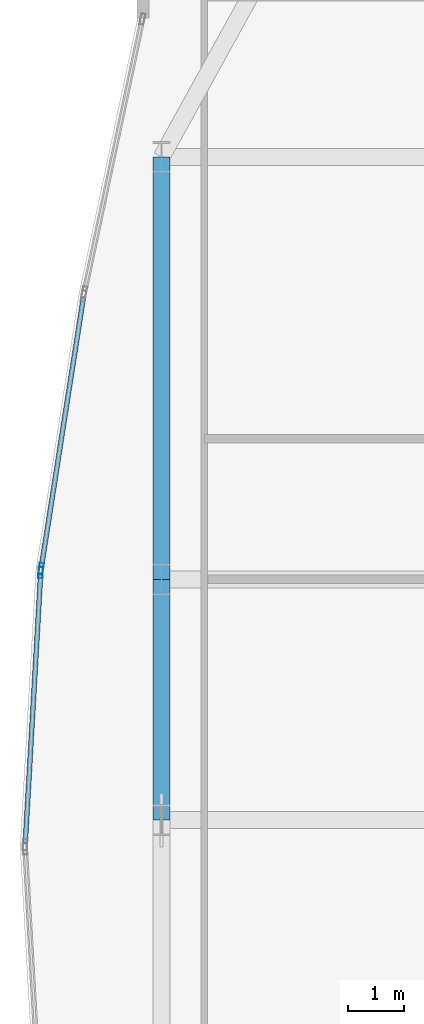
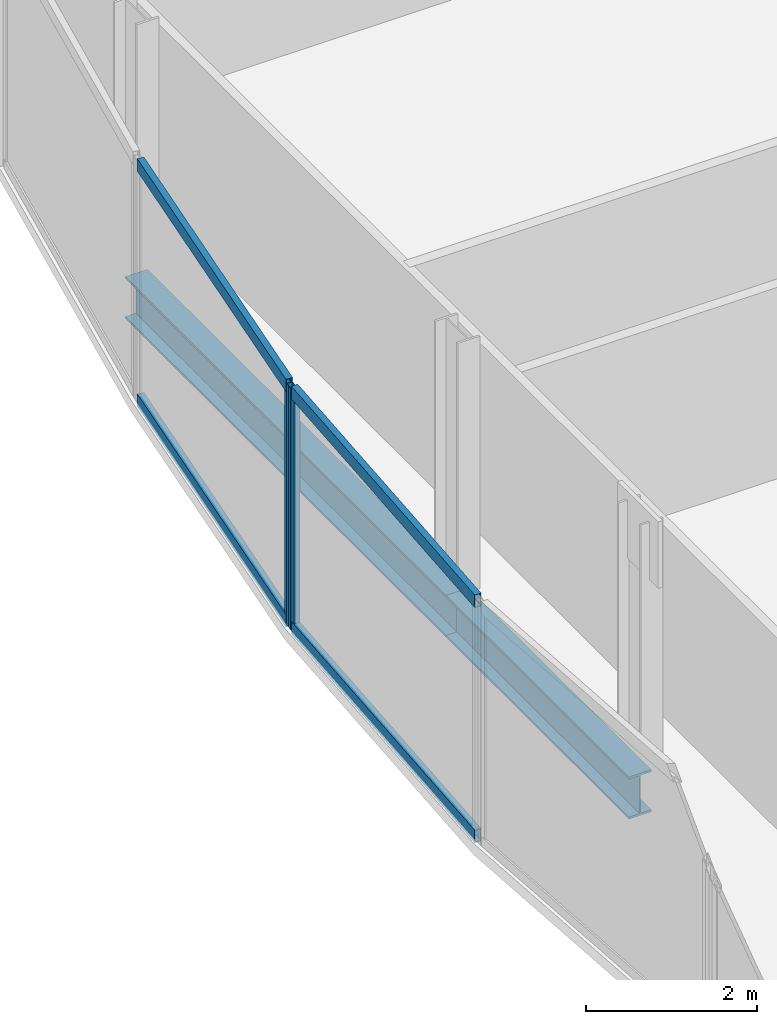
# One storey, part 11 of 29: 6 members, 2 beams, 2 elements without a shape of their own.
"""IFC4 building model written with IfcOpenShell, lengths in metres."""

from ifc_helpers import new_model, si_unit, direction, frame, origin, origin_2d, place, context, subcontext, project, spatial, hollow_rectangle, i_section, extrude, material, material_profile, profile_set, type_object, element, aggregate, save


model = new_model("IFC4")

# Units and contexts
model_context = context("Model", 3, precision=1e-05, world=origin(), true_north=direction((0.0, 1.0)))
body_context = subcontext(model_context, "Body", "Model", "MODEL_VIEW")
ifc_project = project(units=[si_unit("LENGTHUNIT", "METRE"), si_unit("AREAUNIT", "SQUARE_METRE"), si_unit("VOLUMEUNIT", "CUBIC_METRE"), si_unit("PLANEANGLEUNIT", "RADIAN"), si_unit("MASSUNIT", "GRAM", prefix="KILO")], contexts=[model_context])

# Site, building, storey
site_placement = place(None, origin())
site = spatial("IfcSite", under=ifc_project, at=site_placement, CompositionType="ELEMENT")
building_placement = place(site_placement, origin())
building = spatial("IfcBuilding", under=site, at=building_placement, Name="Khoronbel Lancet Exchange", CompositionType="ELEMENT")
storey_placement = place(building_placement, frame((0.0, 0.0, 165.0)))
storey = spatial("IfcBuildingStorey", under=building, at=storey_placement, Name="L41", CompositionType="ELEMENT", Elevation=165.0)

# Beams
ifc_material_1 = material(Name="Steel S355", Category="steel")
ifc_material_profile_1 = material_profile(ifc_material_1, i_section(OverallWidth=0.300048828125, OverallDepth=0.60009765625, WebThickness=0.015380859375, FlangeThickness=0.030029296875, at=origin_2d()), Name="HEB 600")
ifc_profile_set_1 = profile_set([ifc_material_profile_1], Name="Steel S355")
beam_type = type_object("IfcBeamType", Name="BM-BSP2", PredefinedType="SPANDREL", material=ifc_profile_set_1)
beam_1_placement = place(storey_placement, frame((5.27001953125, 43.199951171875, -0.4599609375), z_axis=(0.0, -1.0, 0.0), x_axis=(1.0, 0.0, 0.0)))
element("IfcBeam", 1, at=beam_1_placement, inside=storey, type_object=beam_type, Name="Level L41 perimeter spandrel beam SP17", PredefinedType="SPANDREL", context=body_context, shape_type="SweptSolid", body=[
    extrude(i_section(OverallWidth=0.300048828125, OverallDepth=0.60009765625, WebThickness=0.015380859375, FlangeThickness=0.030029296875, at=origin_2d()), origin(), (0.0, 0.0, 1.0), 7.5),
])
beam_2_placement = place(storey_placement, frame((5.27001953125, 35.699951171875, -0.4599609375), z_axis=(0.0, -1.0, 0.0), x_axis=(1.0, 0.0, 0.0)))
element("IfcBeam", 2, at=beam_2_placement, inside=storey, type_object=beam_type, Name="Level L41 perimeter spandrel beam SP18", PredefinedType="SPANDREL", context=body_context, shape_type="SweptSolid", body=[
    extrude(i_section(OverallWidth=0.300048828125, OverallDepth=0.60009765625, WebThickness=0.015380859375, FlangeThickness=0.030029296875, at=origin_2d()), origin(), (0.0, 0.0, 1.0), 4.27490234375),
])

# Curtain wall, member
ifc_material_2 = material(Name="Low-E Solar Control Insulating Glass", Category="glass")
curtain_wall_type = type_object("IfcCurtainWallType", Name="CW-4", PredefinedType="NOTDEFINED", material=ifc_material_2)
curtain_wall_1_placement = place(storey_placement, origin())
curtain_wall_1 = element("IfcCurtainWall", 3, at=curtain_wall_1_placement, inside=storey, type_object=curtain_wall_type, Name="Unitised curtain wall CW-L41-E07", PredefinedType="NOTDEFINED")
ifc_material_3 = material(Name="Bronze-Anodised Aluminium 6063-T6", Category="aluminium")
ifc_material_profile_2 = material_profile(ifc_material_3, hollow_rectangle(XDim=0.074951171875, YDim=0.199951171875, WallThickness=0.0048828125, at=origin_2d()), Name="ALU MULLION 75x200")
ifc_profile_set_2 = profile_set([ifc_material_profile_2], Name="Bronze-Anodised Aluminium 6063-T6")
member_type_1 = type_object("IfcMemberType", Name="MEM-CWM2", PredefinedType="MULLION", material=ifc_profile_set_2)
member_1_placement = place(storey_placement, frame((3.124267578125, 35.81982421875, 0.0), z_axis=(0.0, 0.0, 1.0), x_axis=(-0.998376098551, 0.056966357111, 0.0)))
member_1 = element("IfcMember", 4, at=member_1_placement, type_object=member_type_1, Name="CW4 mullion 2", PredefinedType="MULLION", context=body_context, shape_type="SweptSolid", body=[
    extrude(hollow_rectangle(XDim=0.074951171875, YDim=0.199951171875, WallThickness=0.0048828125, at=origin_2d()), origin(), (0.0, 0.0, 1.0), 3.43994140625),
])

curtain_wall_2_placement = place(storey_placement, origin())
curtain_wall_2 = element("IfcCurtainWall", 5, at=curtain_wall_2_placement, inside=storey, type_object=curtain_wall_type, Name="Unitised curtain wall CW-L41-E08", PredefinedType="NOTDEFINED")
member_2_placement = place(storey_placement, frame((3.132080078125, 35.894287109375, 0.0), z_axis=(0.0, 0.0, 1.0), x_axis=(-0.988068944091, 0.154012212903, 0.0)))
member_2 = element("IfcMember", 6, at=member_2_placement, type_object=member_type_1, Name="CW4 mullion 1", PredefinedType="MULLION", context=body_context, shape_type="SweptSolid", body=[
    extrude(hollow_rectangle(XDim=0.074951171875, YDim=0.199951171875, WallThickness=0.0048828125, at=origin_2d()), origin(), (0.0, 0.0, 1.0), 3.43994140625),
])

# Member
ifc_material_profile_3 = material_profile(ifc_material_3, hollow_rectangle(XDim=0.0849609375, YDim=0.179931640625, WallThickness=0.0048828125, at=origin_2d()), Name="ALU TRANSOM 85x180")
ifc_profile_set_3 = profile_set([ifc_material_profile_3], Name="Bronze-Anodised Aluminium 6063-T6")
member_type_2 = type_object("IfcMemberType", Name="MEM-CWT1", PredefinedType="USERDEFINED", material=ifc_profile_set_3)
member_3_placement = place(storey_placement, frame((2.8505859375, 31.02490234375, 0.04248046875), z_axis=(0.056973916756, 0.998375667176, 0.0), x_axis=(-0.998375667176, 0.056973916756, 0.0)))
member_3 = element("IfcMember", 7, at=member_3_placement, type_object=member_type_2, Name="CW4 transom 1.1", ObjectType="TRANSOM", PredefinedType="USERDEFINED", context=body_context, shape_type="SweptSolid", body=[
    extrude(hollow_rectangle(XDim=0.0849609375, YDim=0.179931640625, WallThickness=0.0048828125, at=origin_2d()), origin(), (0.0, 0.0, 1.0), 4.76513671875),
])

member_4_placement = place(storey_placement, frame((2.8505859375, 31.02490234375, 3.3974609375), z_axis=(0.056973916756, 0.998375667176, 0.0), x_axis=(-0.998375667176, 0.056973916756, 0.0)))
member_4 = element("IfcMember", 8, at=member_4_placement, type_object=member_type_2, Name="CW4 transom 1.2", ObjectType="TRANSOM", PredefinedType="USERDEFINED", context=body_context, shape_type="SweptSolid", body=[
    extrude(hollow_rectangle(XDim=0.0849609375, YDim=0.179931640625, WallThickness=0.0048828125, at=origin_2d()), origin(), (0.0, 0.0, 1.0), 4.76513671875),
])

aggregate(curtain_wall_1, [member_1, member_3, member_4])

member_5_placement = place(storey_placement, frame((3.137939453125, 35.931396484375, 0.04248046875), z_axis=(0.154013684696, 0.988068714678, 0.0), x_axis=(-0.988068714678, 0.154013684696, 0.0)))
member_5 = element("IfcMember", 9, at=member_5_placement, type_object=member_type_2, Name="CW4 transom 1.1", ObjectType="TRANSOM", PredefinedType="USERDEFINED", context=body_context, shape_type="SweptSolid", body=[
    extrude(hollow_rectangle(XDim=0.0849609375, YDim=0.179931640625, WallThickness=0.0048828125, at=origin_2d()), origin(), (0.0, 0.0, 1.0), 4.819091796875),
])

member_6_placement = place(storey_placement, frame((3.137939453125, 35.931396484375, 3.3974609375), z_axis=(0.154013684696, 0.988068714678, 0.0), x_axis=(-0.988068714678, 0.154013684696, 0.0)))
member_6 = element("IfcMember", 10, at=member_6_placement, type_object=member_type_2, Name="CW4 transom 1.2", ObjectType="TRANSOM", PredefinedType="USERDEFINED", context=body_context, shape_type="SweptSolid", body=[
    extrude(hollow_rectangle(XDim=0.0849609375, YDim=0.179931640625, WallThickness=0.0048828125, at=origin_2d()), origin(), (0.0, 0.0, 1.0), 4.819091796875),
])

aggregate(curtain_wall_2, [member_2, member_5, member_6])

save(model, "model.ifc")
